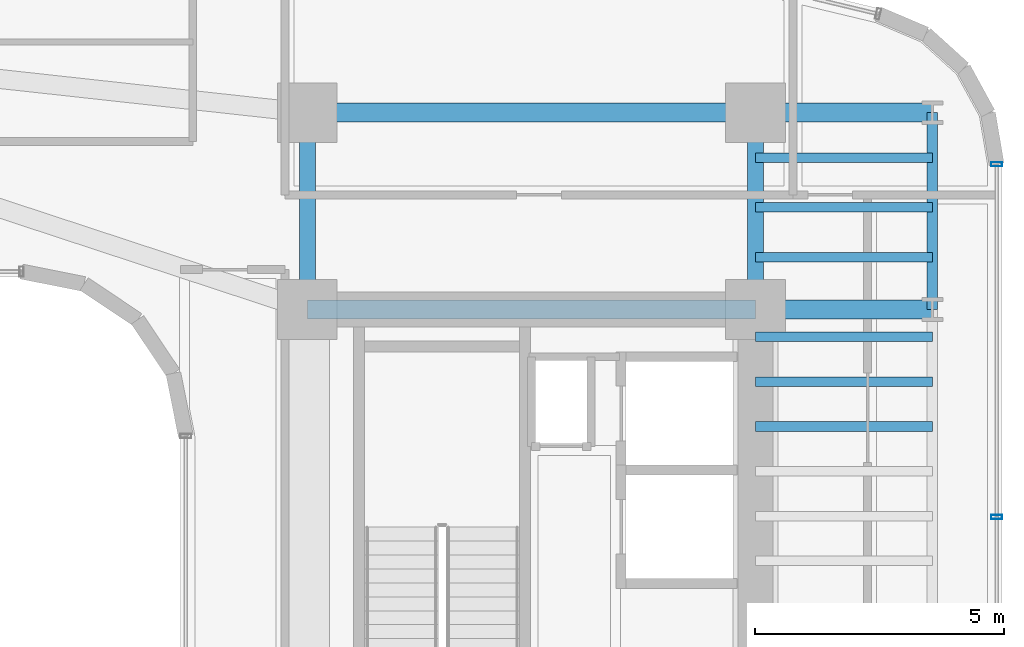
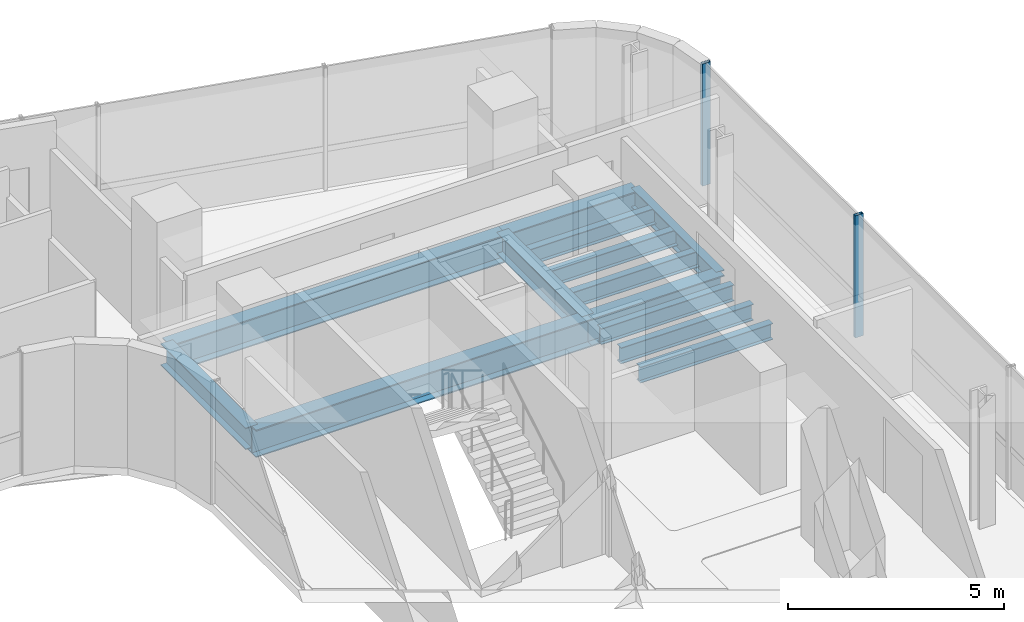
# One storey, part 17 of 35: 13 beams, 2 members, 1 element without a shape of its own.
"""IFC4 building model written with IfcOpenShell, lengths in metres."""

from ifc_helpers import new_model, si_unit, direction, frame, origin, origin_2d, place, context, subcontext, project, spatial, hollow_rectangle, i_section, extrude, source, transform, mapped, material, material_profile, profile_set, type_object, element, aggregate, save


model = new_model("IFC4")

# Units and contexts
model_context = context("Model", 3, precision=1e-05, world=origin(), true_north=direction((0.0, 1.0)))
body_context = subcontext(model_context, "Body", "Model", "MODEL_VIEW")
ifc_project = project(units=[si_unit("LENGTHUNIT", "METRE"), si_unit("AREAUNIT", "SQUARE_METRE"), si_unit("VOLUMEUNIT", "CUBIC_METRE"), si_unit("PLANEANGLEUNIT", "RADIAN"), si_unit("MASSUNIT", "GRAM", prefix="KILO")], contexts=[model_context])

# Site, building, storey
site_placement = place(None, origin())
site = spatial("IfcSite", under=ifc_project, at=site_placement, CompositionType="ELEMENT")
building_placement = place(site_placement, origin())
building = spatial("IfcBuilding", under=site, at=building_placement, Name="Valdorenza Pilgrim Sanctuary Tower", CompositionType="ELEMENT")
storey_placement = place(building_placement, frame((0.0, 0.0, 105.699951171875)))
storey = spatial("IfcBuildingStorey", under=building, at=storey_placement, Name="L26", CompositionType="ELEMENT", Elevation=105.699951171875)

# Beams
ifc_material_1 = material(Name="Steel ASTM A992 Grade 50", Category="steel")
ifc_material_profile_1 = material_profile(ifc_material_1, i_section(OverallWidth=0.323974609375, OverallDepth=0.611083984375, WebThickness=0.0126953125, FlangeThickness=0.01904296875, at=origin_2d()), Name="W24X104")
ifc_profile_set_1 = profile_set([ifc_material_profile_1], Name="Steel ASTM A992 Grade 50")
beam_type_1 = type_object("IfcBeamType", Name="STR-BM-GRD-W24B", PredefinedType="BEAM", material=ifc_profile_set_1)
shared_shape_1 = source(origin(), body_context, "Body", "SweptSolid", [
    extrude(i_section(OverallWidth=0.323974609375, OverallDepth=0.611083984375, WebThickness=0.0126953125, FlangeThickness=0.01904296875, at=origin_2d()), origin(), (0.0, 0.0, 1.0), 3.949951171875),
])
for number, where, z_axis, x_axis, name in (
    (1, (15.85009765625, 9.550048828125, -0.54541015625), (0.0, 1.0, 0.0), (-1.0, 0.0, 0.0), "L26 Core Tie Girder CB-W-N1N2"),
    (2, (24.85009765625, 9.550048828125, -0.54541015625), (0.0, 1.0, 0.0), (-1.0, 0.0, 0.0), "L26 Core Tie Girder CB-E-N1N2"),
):
    element("IfcBeam", number, at=place(storey_placement, frame(where, z_axis=z_axis, x_axis=x_axis)), inside=storey, type_object=beam_type_1, Name=name, PredefinedType="BEAM", context=body_context, shape_type="MappedRepresentation", body=[
        mapped(shared_shape_1, transform((0.0, 0.0, 0.0), x_axis=(1.0, 0.0, 0.0), y_axis=(0.0, 1.0, 0.0), z_axis=(0.0, 0.0, 1.0), scale=1.0)),
    ])
ifc_material_profile_2 = material_profile(ifc_material_1, i_section(OverallWidth=0.214111328125, OverallDepth=0.549072265625, WebThickness=0.0146484375, FlangeThickness=0.023681640625, at=origin_2d()), Name="W21X93")
ifc_profile_set_2 = profile_set([ifc_material_profile_2], Name="Steel ASTM A992 Grade 50")
beam_type_2 = type_object("IfcBeamType", Name="STR-BM-SPN-W21A", PredefinedType="SPANDREL", material=ifc_profile_set_2)
shared_shape_2 = source(origin(), body_context, "Body", "SweptSolid", [
    extrude(i_section(OverallWidth=0.214111328125, OverallDepth=0.549072265625, WebThickness=0.0146484375, FlangeThickness=0.023681640625, at=origin_2d()), origin(), (0.0, 0.0, 1.0), 3.949951171875),
])
beam_placement = place(storey_placement, frame((28.39990234375, 9.550048828125, -0.514404296875), z_axis=(0.0, 1.0, 0.0), x_axis=(-1.0, 0.0, 0.0)))
element("IfcBeam", 3, at=beam_placement, inside=storey, type_object=beam_type_2, Name="L26 Spandrel Beam WB-E-N1N2", PredefinedType="SPANDREL", context=body_context, shape_type="MappedRepresentation", body=[
    mapped(shared_shape_2, transform((0.0, 0.0, 0.0), x_axis=(1.0, 0.0, 0.0), y_axis=(0.0, 1.0, 0.0), z_axis=(0.0, 0.0, 1.0), scale=1.0)),
])
ifc_material_profile_3 = material_profile(ifc_material_1, i_section(OverallWidth=0.382080078125, OverallDepth=0.779052734375, WebThickness=0.01806640625, FlangeThickness=0.030029296875, at=origin_2d()), Name="W30X191")
ifc_profile_set_3 = profile_set([ifc_material_profile_3], Name="Steel ASTM A992 Grade 50")
beam_type_3 = type_object("IfcBeamType", Name="STR-BM-GRD-W30", PredefinedType="BEAM", material=ifc_profile_set_3)
shared_shape_3 = source(origin(), body_context, "Body", "SweptSolid", [
    extrude(i_section(OverallWidth=0.382080078125, OverallDepth=0.779052734375, WebThickness=0.01806640625, FlangeThickness=0.030029296875, at=origin_2d()), origin(), (0.0, 0.0, 1.0), 9.0),
])
for number, where, z_axis, x_axis, name in (
    (4, (15.85009765625, 9.550048828125, -0.62939453125), (1.0, 0.0, 0.0), (0.0, 1.0, 0.0), "L26 Floor Girder CB-XC-N1"),
    (5, (15.85009765625, 13.5, -0.62939453125), (1.0, 0.0, 0.0), (0.0, 1.0, 0.0), "L26 Floor Girder CB-XC-N2"),
):
    element("IfcBeam", number, at=place(storey_placement, frame(where, z_axis=z_axis, x_axis=x_axis)), inside=storey, type_object=beam_type_3, Name=name, PredefinedType="BEAM", context=body_context, shape_type="MappedRepresentation", body=[
        mapped(shared_shape_3, transform((0.0, 0.0, 0.0), x_axis=(1.0, 0.0, 0.0), y_axis=(0.0, 1.0, 0.0), z_axis=(0.0, 0.0, 1.0), scale=1.0)),
    ])
shared_shape_4 = source(origin(), body_context, "Body", "SweptSolid", [
    extrude(i_section(OverallWidth=0.382080078125, OverallDepth=0.779052734375, WebThickness=0.01806640625, FlangeThickness=0.030029296875, at=origin_2d()), origin(), (0.0, 0.0, 1.0), 3.5498046875),
])
for number, where, z_axis, x_axis, name in (
    (6, (24.85009765625, 9.550048828125, -0.62939453125), (1.0, 0.0, 0.0), (0.0, 1.0, 0.0), "L26 Floor Girder WB-XE-N1"),
    (7, (24.85009765625, 13.5, -0.62939453125), (1.0, 0.0, 0.0), (0.0, 1.0, 0.0), "L26 Floor Girder WB-XE-N2"),
):
    element("IfcBeam", number, at=place(storey_placement, frame(where, z_axis=z_axis, x_axis=x_axis)), inside=storey, type_object=beam_type_3, Name=name, PredefinedType="BEAM", context=body_context, shape_type="MappedRepresentation", body=[
        mapped(shared_shape_4, transform((0.0, 0.0, 0.0), x_axis=(1.0, 0.0, 0.0), y_axis=(0.0, 1.0, 0.0), z_axis=(0.0, 0.0, 1.0), scale=1.0)),
    ])
ifc_material_profile_4 = material_profile(ifc_material_1, i_section(OverallWidth=0.19091796875, OverallDepth=0.45703125, WebThickness=0.009033203125, FlangeThickness=0.014404296875, at=origin_2d()), Name="W18X50")
ifc_profile_set_4 = profile_set([ifc_material_profile_4], Name="Steel ASTM A992 Grade 50")
beam_type_4 = type_object("IfcBeamType", Name="STR-BM-JST-W18B", PredefinedType="JOIST", material=ifc_profile_set_4)
shared_shape_5 = source(origin(), body_context, "Body", "SweptSolid", [
    extrude(i_section(OverallWidth=0.19091796875, OverallDepth=0.45703125, WebThickness=0.009033203125, FlangeThickness=0.014404296875, at=origin_2d()), origin(), (0.0, 0.0, 1.0), 3.5498046875),
])
for number, where, z_axis, x_axis, name in (
    (8, (24.85009765625, 7.199951171875, -0.468505859375), (1.0, 0.0, 0.0), (0.0, 1.0, 0.0), "L26 Composite Floor Joist JST-WB-16"),
    (9, (24.85009765625, 8.10009765625, -0.468505859375), (1.0, 0.0, 0.0), (0.0, 1.0, 0.0), "L26 Composite Floor Joist JST-WB-17"),
    (10, (24.85009765625, 9.0, -0.468505859375), (1.0, 0.0, 0.0), (0.0, 1.0, 0.0), "L26 Composite Floor Joist JST-WB-18"),
    (11, (24.85009765625, 10.60009765625, -0.468505859375), (1.0, 0.0, 0.0), (0.0, 1.0, 0.0), "L26 Composite Floor Joist JST-WB-19"),
    (12, (24.85009765625, 11.60009765625, -0.468505859375), (1.0, 0.0, 0.0), (0.0, 1.0, 0.0), "L26 Composite Floor Joist JST-WB-20"),
    (13, (24.85009765625, 12.60009765625, -0.468505859375), (1.0, 0.0, 0.0), (0.0, 1.0, 0.0), "L26 Composite Floor Joist JST-WB-21"),
):
    element("IfcBeam", number, at=place(storey_placement, frame(where, z_axis=z_axis, x_axis=x_axis)), inside=storey, type_object=beam_type_4, Name=name, PredefinedType="JOIST", context=body_context, shape_type="MappedRepresentation", body=[
        mapped(shared_shape_5, transform((0.0, 0.0, 0.0), x_axis=(1.0, 0.0, 0.0), y_axis=(0.0, 1.0, 0.0), z_axis=(0.0, 0.0, 1.0), scale=1.0)),
    ])

# Curtain wall, members
ifc_material_2 = material(Name="Curtain-wall IGU glazing", Category="glass")
curtain_wall_type = type_object("IfcCurtainWallType", Name="CW-SYS-03", PredefinedType="NOTDEFINED", material=ifc_material_2)
curtain_wall_placement = place(storey_placement, origin())
curtain_wall = element("IfcCurtainWall", 14, at=curtain_wall_placement, inside=storey, type_object=curtain_wall_type, Name="L26 Curtain Wall CW-L26-1-21", PredefinedType="NOTDEFINED")
ifc_material_3 = material(Name="Anodised aluminium AW-6060", Category="aluminium")
ifc_material_profile_5 = material_profile(ifc_material_3, hollow_rectangle(XDim=0.0849609375, YDim=0.219970703125, WallThickness=0.0048828125, at=origin_2d()), Name="ALU-M 220x85x5")
ifc_profile_set_5 = profile_set([ifc_material_profile_5], Name="Anodised aluminium AW-6060")
member_type = type_object("IfcMemberType", Name="CW-MUL-03", PredefinedType="MULLION", material=ifc_profile_set_5)
shared_shape_6 = source(origin(), body_context, "Body", "SweptSolid", [
    extrude(hollow_rectangle(XDim=0.0849609375, YDim=0.219970703125, WallThickness=0.0048828125, at=origin_2d()), origin(), (0.0, 0.0, 1.0), 3.4599609375),
])
member_1_placement = place(storey_placement, frame((29.68994140625, 12.46630859375, 0.0), z_axis=(0.0, 0.0, 1.0), x_axis=(0.0, -1.0, 0.0)))
member_1 = element("IfcMember", 15, at=member_1_placement, type_object=member_type, Name="CW-L26-1-21 Mullion 1", PredefinedType="MULLION", context=body_context, shape_type="MappedRepresentation", body=[
    mapped(shared_shape_6, transform((0.0, 0.0, 0.0), x_axis=(1.0, 0.0, 0.0), y_axis=(0.0, 1.0, 0.0), z_axis=(0.0, 0.0, 1.0), scale=1.0)),
])
member_2_placement = place(storey_placement, frame((29.68994140625, 5.381103515625, 0.0), z_axis=(0.0, 0.0, 1.0), x_axis=(0.0, -1.0, 0.0)))
member_2 = element("IfcMember", 16, at=member_2_placement, type_object=member_type, Name="CW-L26-1-21 Mullion 2", PredefinedType="MULLION", context=body_context, shape_type="MappedRepresentation", body=[
    mapped(shared_shape_6, transform((0.0, 0.0, 0.0), x_axis=(1.0, 0.0, 0.0), y_axis=(0.0, 1.0, 0.0), z_axis=(0.0, 0.0, 1.0), scale=1.0)),
])
aggregate(curtain_wall, [member_1, member_2])

save(model, "model.ifc")
